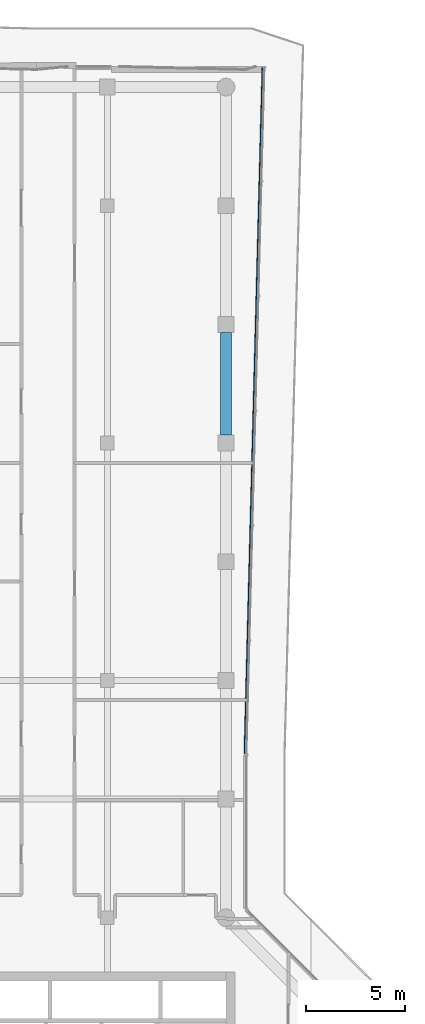
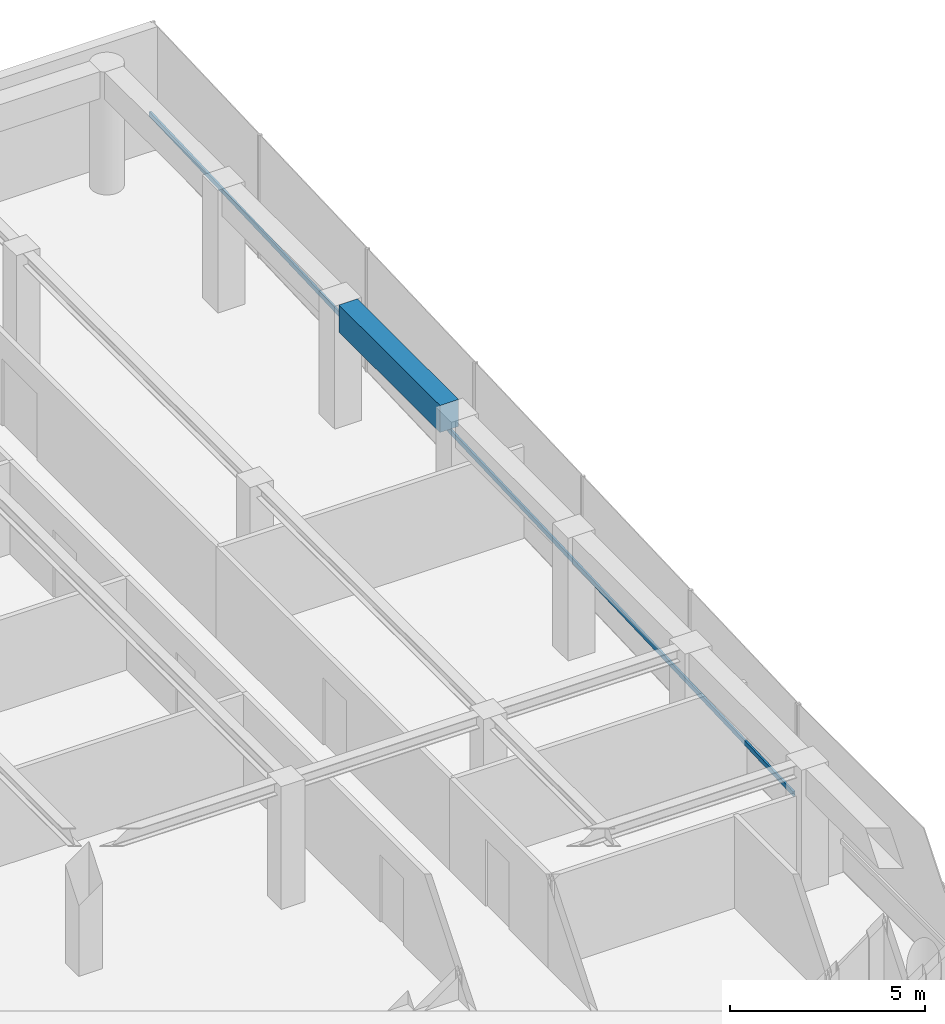
# One storey, part 12 of 19: 1 beam, 1 member, 1 element without a shape of its own.
"""IFC4 building model written with IfcOpenShell, lengths in metres."""

from ifc_helpers import new_model, si_unit, direction, frame, origin, origin_2d, place, context, subcontext, project, spatial, rectangle, extrude, material, layer, layer_set, material_profile, profile_set, type_object, element, aggregate, save


model = new_model("IFC4")

# Units and contexts
model_context = context("Model", 3, precision=1e-05, world=origin(), true_north=direction((0.0, 1.0)))
body_context = subcontext(model_context, "Body", "Model", "MODEL_VIEW")
ifc_project = project(units=[si_unit("LENGTHUNIT", "METRE"), si_unit("AREAUNIT", "SQUARE_METRE"), si_unit("VOLUMEUNIT", "CUBIC_METRE"), si_unit("PLANEANGLEUNIT", "RADIAN"), si_unit("MASSUNIT", "GRAM", prefix="KILO")], contexts=[model_context])

# Site, building, storey
site_placement = place(None, origin())
site = spatial("IfcSite", under=ifc_project, at=site_placement, CompositionType="ELEMENT")
building_placement = place(site_placement, origin())
building = spatial("IfcBuilding", under=site, at=building_placement, Name="Welwitschia Terrace Campus", CompositionType="ELEMENT")
storey_placement = place(building_placement, frame((0.0, 0.0, 234.800048828125)))
storey = spatial("IfcBuildingStorey", under=building, at=storey_placement, Name="L52", CompositionType="ELEMENT", Elevation=234.800048828125)

# Beam
ifc_material_1 = material(Name="Concrete C50/60", Category="concrete")
ifc_material_profile_1 = material_profile(ifc_material_1, rectangle(XDim=0.550048828125, YDim=0.85009765625, at=origin_2d()))
ifc_profile_set_1 = profile_set([ifc_material_profile_1], Name="Concrete C50/60")
beam_type = type_object("IfcBeamType", Name="Ring spandrel 550x850", PredefinedType="SPANDREL", material=ifc_profile_set_1)
beam_placement = place(storey_placement, frame((24.0, 52.400390625, 3.425048828125), z_axis=(0.0, 1.0, 0.0), x_axis=(-1.0, 0.0, 0.0)))
element("IfcBeam", 1, at=beam_placement, inside=storey, type_object=beam_type, Name="Spandrel SP3", PredefinedType="SPANDREL", context=body_context, shape_type="SweptSolid", body=[
    extrude(rectangle(XDim=0.550048828125, YDim=0.85009765625, at=origin_2d()), origin(), (0.0, 0.0, 1.0), 5.19921875),
])

# Curtain wall, member
ifc_material_2 = material(Name="Bronze anodised aluminium", Category="aluminium")
ifc_layer = layer(ifc_material_2, 0.1201171875)
ifc_layer_set = layer_set([ifc_layer], Name="Bronze anodised aluminium")
curtain_wall_type = type_object("IfcCurtainWallType", Name="Curtain wall CW2 tower 6000", PredefinedType="NOTDEFINED", material=ifc_layer_set)
curtain_wall_placement = place(storey_placement, origin())
curtain_wall = element("IfcCurtainWall", 2, at=curtain_wall_placement, inside=storey, type_object=curtain_wall_type, Name="CW L52.9.0", PredefinedType="NOTDEFINED")
ifc_material_3 = material(Name="Bronze anodised aluminium", Category="aluminium")
ifc_material_profile_2 = material_profile(ifc_material_3, rectangle(XDim=0.06005859375, YDim=0.14990234375, at=origin_2d()))
ifc_profile_set_2 = profile_set([ifc_material_profile_2], Name="Bronze anodised aluminium")
member_type = type_object("IfcMemberType", Name="Transom 60x150", PredefinedType="USERDEFINED", material=ifc_profile_set_2)
member_placement = place(storey_placement, frame((24.941650390625, 36.3056640625, 1.0), z_axis=(0.026175049256, 0.999657374702, 0.0), x_axis=(-0.999657374702, 0.026175049256, 0.0)))
member = element("IfcMember", 3, at=member_placement, type_object=member_type, Name="Transom L52.9.0", ObjectType="TRANSOM", PredefinedType="USERDEFINED", context=body_context, shape_type="SweptSolid", body=[
    extrude(rectangle(XDim=0.06005859375, YDim=0.14990234375, at=origin_2d()), origin(), (0.0, 0.0, 1.0), 34.6787109375),
])
aggregate(curtain_wall, [member])

save(model, "model.ifc")
